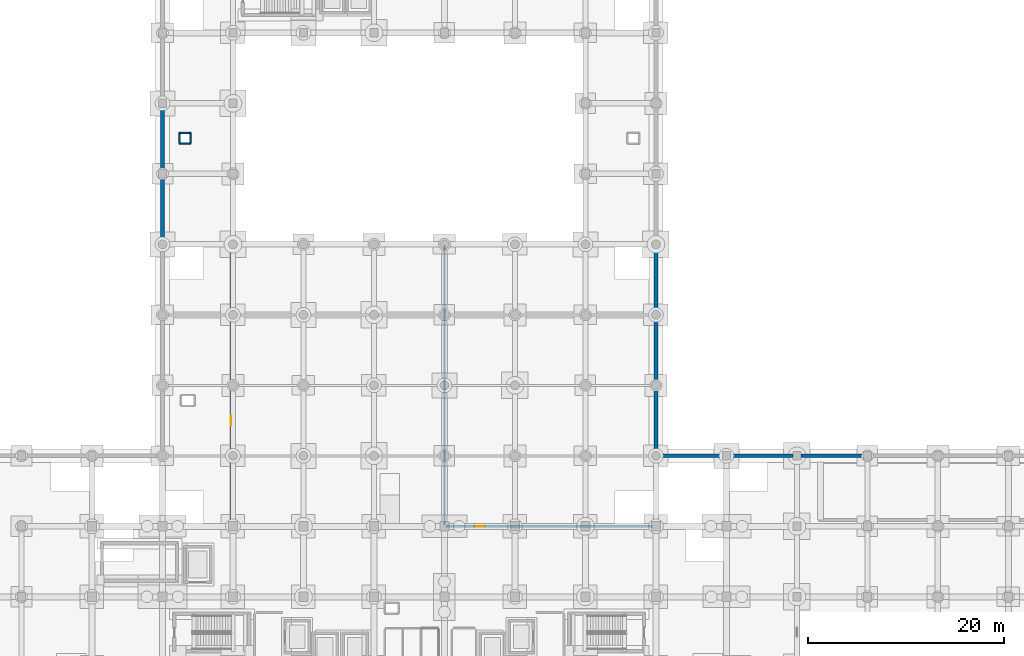
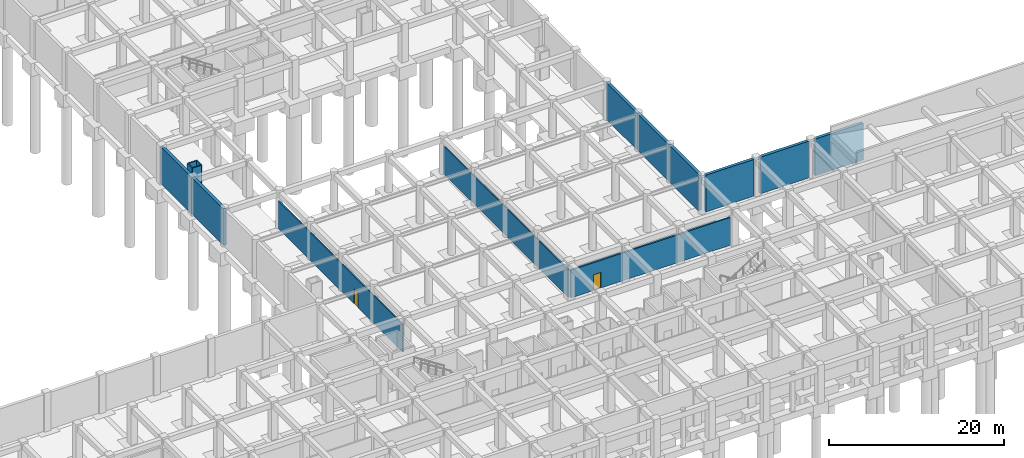
# One storey, part 16 of 26: 15 walls, 2 doors, 2 openings.
"""IFC4 building model written with IfcOpenShell, lengths in metres."""

from ifc_helpers import new_model, si_unit, direction, frame, frame_2d, origin, place, context, subcontext, project, spatial, rectangle, extrude, material, layer, layer_set, type_object, element, fill, save


model = new_model("IFC4")

# Units and contexts
model_context = context("Model", 3, precision=1e-05, world=origin(), true_north=direction((0.0, 1.0)))
body_context = subcontext(model_context, "Body", "Model", "MODEL_VIEW")
ifc_project = project(units=[si_unit("LENGTHUNIT", "METRE"), si_unit("AREAUNIT", "SQUARE_METRE"), si_unit("VOLUMEUNIT", "CUBIC_METRE"), si_unit("PLANEANGLEUNIT", "RADIAN"), si_unit("MASSUNIT", "GRAM", prefix="KILO")], contexts=[model_context])

# Site, building, storey
site_placement = place(None, origin())
site = spatial("IfcSite", under=ifc_project, at=site_placement, CompositionType="ELEMENT")
building_placement = place(site_placement, origin())
building = spatial("IfcBuilding", under=site, at=building_placement, Name="Kazehaya Institute of Natural Sciences", CompositionType="ELEMENT")
storey_placement = place(building_placement, frame((0.0, 0.0, -5.39990234375)))
storey = spatial("IfcBuildingStorey", under=building, at=storey_placement, Name="B1", CompositionType="ELEMENT", Elevation=-5.39990234375)

# Wall, opening, door
ifc_material_1 = material(Name="Gypsum acoustic partition", Category="gypsum")
ifc_layer_1 = layer(ifc_material_1, 0.159912109375, Name="Gypsum acoustic partition", Category="gypsum")
ifc_layer_set_1 = layer_set([ifc_layer_1], Name="Gypsum acoustic partition")
wall_type_1 = type_object("IfcWallType", Name="WL-PART-160", PredefinedType="PARTITIONING", material=ifc_layer_set_1)
wall_1_placement = place(storey_placement, frame((68.800048828125, 35.75, 0.0), z_axis=(0.0, 0.0, 1.0), x_axis=(0.0, 1.0, 0.0)))
wall_1 = element("IfcWall", 1, at=wall_1_placement, inside=storey, type_object=wall_type_1, Name="B1 Specimen Cold Repository partition IW-B1-0028", PredefinedType="PARTITIONING", context=body_context, shape_type="SweptSolid", body=[
    extrude(rectangle(XDim=28.5, YDim=0.159912109375, at=frame_2d((14.25, 0.0))), origin(), (0.0, 0.0, 1.0), 3.8798828125),
])
opening_1_placement = place(wall_1_placement, frame((10.159912109375, 0.0, 0.0)))
opening_1 = element("IfcOpeningElement", 2, at=opening_1_placement, cuts=wall_1, Name="Opening D-B1-0049", PredefinedType="OPENING", context=body_context, shape_type="SweptSolid", body=[
    extrude(rectangle(XDim=0.97998046875, YDim=2.1201171875, at=frame_2d((0.489990234375, 1.06005859375))), frame((0.0, 0.08984375, 0.0), z_axis=(0.0, -1.0, 0.0), x_axis=(1.0, 0.0, 0.0)), (0.0, 0.0, 1.0), 0.179931640625),
])
ifc_material_2 = material(Name="Fire-rated steel acoustic door", Category="steel")
door_type_1 = type_object("IfcDoorType", Name="DT-FD-08", OperationType="NOTDEFINED", PredefinedType="DOOR", material=ifc_material_2)
door_1_placement = place(opening_1_placement, origin())
door_1 = element("IfcDoor", 3, at=door_1_placement, inside=storey, type_object=door_type_1, Name="B1 Specimen Cold Repository door D-B1-0049", OperationType="SINGLE_SWING_LEFT", OverallHeight=2.1201171875, OverallWidth=0.97998046875, PredefinedType="DOOR", context=body_context, shape_type="SweptSolid", body=[
    extrude(rectangle(XDim=0.97998046875, YDim=2.1201171875, at=frame_2d((0.489990234375, 1.06005859375))), frame((0.0, 0.02490234375, 0.0), z_axis=(0.0, -1.0, 0.0), x_axis=(1.0, 0.0, 0.0)), (0.0, 0.0, 1.0), 0.050048828125),
])
fill(opening_1, door_1)

# Wall
wall_2_placement = place(storey_placement, frame((90.60009765625, 64.25, 0.0), z_axis=(0.0, 0.0, 1.0), x_axis=(0.0, -1.0, 0.0)))
element("IfcWall", 4, at=wall_2_placement, inside=storey, type_object=wall_type_1, Name="B1 Specimen Cold Repository partition IW-B1-0029", PredefinedType="PARTITIONING", context=body_context, shape_type="SweptSolid", body=[
    extrude(rectangle(XDim=28.5, YDim=0.159912109375, at=frame_2d((14.25, 0.0))), origin(), (0.0, 0.0, 1.0), 3.8798828125),
])

# Wall, opening, door
ifc_material_3 = material(Name="Gypsum fire-rated partition", Category="gypsum")
ifc_layer_2 = layer(ifc_material_3, 0.219970703125, Name="Gypsum fire-rated partition", Category="gypsum")
ifc_layer_set_2 = layer_set([ifc_layer_2], Name="Gypsum fire-rated partition")
wall_type_2 = type_object("IfcWallType", Name="WL-PART-220", PredefinedType="PARTITIONING", material=ifc_layer_set_2)
wall_3_placement = place(storey_placement, frame((111.85009765625, 35.60009765625, 0.0), z_axis=(0.0, 0.0, 1.0), x_axis=(-1.0, 0.0, 0.0)))
wall_3 = element("IfcWall", 5, at=wall_3_placement, inside=storey, type_object=wall_type_2, Name="B1 Reagent Chemical Store partition IW-B1-0030", PredefinedType="PARTITIONING", context=body_context, shape_type="SweptSolid", body=[
    extrude(rectangle(XDim=21.10009765625, YDim=0.219970703125, at=frame_2d((10.550048828125, 0.0))), origin(), (0.0, 0.0, 1.0), 3.8798828125),
])
opening_2_placement = place(wall_3_placement, frame((17.159912109375, 0.0, 0.0)))
opening_2 = element("IfcOpeningElement", 6, at=opening_2_placement, cuts=wall_3, Name="Opening D-B1-0050", PredefinedType="OPENING", context=body_context, shape_type="SweptSolid", body=[
    extrude(rectangle(XDim=0.97998046875, YDim=2.179931640625, at=frame_2d((0.489990234375, 1.08984375))), frame((0.0, 0.119873046875, 0.0), z_axis=(0.0, -1.0, 0.0), x_axis=(1.0, 0.0, 0.0)), (0.0, 0.0, 1.0), 0.239990234375),
])
door_type_2 = type_object("IfcDoorType", Name="DT-FD-09", OperationType="NOTDEFINED", PredefinedType="DOOR", material=ifc_material_2)
door_2_placement = place(opening_2_placement, origin())
door_2 = element("IfcDoor", 7, at=door_2_placement, inside=storey, type_object=door_type_2, Name="B1 Reagent Chemical Store door D-B1-0050", OperationType="SINGLE_SWING_RIGHT", OverallHeight=2.179931640625, OverallWidth=0.97998046875, PredefinedType="DOOR", context=body_context, shape_type="SweptSolid", body=[
    extrude(rectangle(XDim=0.97998046875, YDim=2.179931640625, at=frame_2d((0.489990234375, 1.08984375))), frame((0.0, 0.02490234375, 0.0), z_axis=(0.0, -1.0, 0.0), x_axis=(1.0, 0.0, 0.0)), (0.0, 0.0, 1.0), 0.050048828125),
])
fill(opening_2, door_2)

# Walls
ifc_material_4 = material(Name="Concrete Fc42", Category="concrete")
ifc_layer_3 = layer(ifc_material_4, 0.389892578125, Name="Concrete Fc42", Category="concrete")
ifc_layer_set_3 = layer_set([ifc_layer_3], Name="Concrete Fc42")
wall_type_3 = type_object("IfcWallType", Name="WL-RET-390", PredefinedType="USERDEFINED", material=ifc_layer_set_3)
for number, where, z_axis, x_axis, name in (
    (8, (61.800048828125, 64.324951171875, 0.0), (0.0, 0.0, 1.0), (0.0, 1.0, 0.0), "B1 exterior wall EW-B1-0040"),
    (9, (61.800048828125, 71.5, 0.0), (0.0, 0.0, 1.0), (0.0, 1.0, 0.0), "B1 exterior wall EW-B1-0041"),
    (10, (112.199951171875, 64.324951171875, 0.0), (0.0, 0.0, 1.0), (0.0, -1.0, 0.0), "B1 exterior wall EW-B1-0061"),
):
    element("IfcWall", number, at=place(storey_placement, frame(where, z_axis=z_axis, x_axis=x_axis)), inside=storey, type_object=wall_type_3, Name=name, ObjectType="RETAININGWALL", PredefinedType="USERDEFINED", context=body_context, shape_type="SweptSolid", body=[
        extrude(rectangle(XDim=7.175048828125, YDim=0.389892578125, at=frame_2d((3.58740234375, 0.0))), origin(), (0.0, 0.0, 1.0), 5.119873046875),
    ])
wall_4_placement = place(storey_placement, frame((112.199951171875, 57.14990234375, 0.0), z_axis=(0.0, 0.0, 1.0), x_axis=(0.0, -1.0, 0.0)))
element("IfcWall", 11, at=wall_4_placement, inside=storey, type_object=wall_type_3, Name="B1 exterior wall EW-B1-0062", ObjectType="RETAININGWALL", PredefinedType="USERDEFINED", context=body_context, shape_type="SweptSolid", body=[
    extrude(rectangle(XDim=7.1748046875, YDim=0.389892578125, at=frame_2d((3.58740234375, 0.0))), origin(), (0.0, 0.0, 1.0), 5.119873046875),
])
wall_5_placement = place(storey_placement, frame((112.199951171875, 49.97509765625, 0.0), z_axis=(0.0, 0.0, 1.0), x_axis=(0.0, -1.0, 0.0)))
element("IfcWall", 12, at=wall_5_placement, inside=storey, type_object=wall_type_3, Name="B1 exterior wall EW-B1-0063", ObjectType="RETAININGWALL", PredefinedType="USERDEFINED", context=body_context, shape_type="SweptSolid", body=[
    extrude(rectangle(XDim=6.739990234375, YDim=0.389892578125, at=frame_2d((3.3701171875, 0.0))), origin(), (0.0, 0.0, 1.0), 5.119873046875),
])
wall_6_placement = place(storey_placement, frame((112.635009765625, 42.800048828125, 0.0), z_axis=(0.0, 0.0, 1.0), x_axis=(1.0, 0.0, 0.0)))
element("IfcWall", 13, at=wall_6_placement, inside=storey, type_object=wall_type_3, Name="B1 exterior wall EW-B1-0064", ObjectType="RETAININGWALL", PredefinedType="USERDEFINED", context=body_context, shape_type="SweptSolid", body=[
    extrude(rectangle(XDim=6.35498046875, YDim=0.389892578125, at=frame_2d((3.177490234375, 0.0))), origin(), (0.0, 0.0, 1.0), 5.119873046875),
])
for number, where, z_axis, x_axis, name in (
    (14, (119.81005859375, 42.800048828125, 0.0), (0.0, 0.0, 1.0), (1.0, 0.0, 0.0), "B1 exterior wall EW-B1-0065"),
    (15, (127.010009765625, 42.800048828125, 0.0), (0.0, 0.0, 1.0), (1.0, 0.0, 0.0), "B1 exterior wall EW-B1-0066"),
):
    element("IfcWall", number, at=place(storey_placement, frame(where, z_axis=z_axis, x_axis=x_axis)), inside=storey, type_object=wall_type_3, Name=name, ObjectType="RETAININGWALL", PredefinedType="USERDEFINED", context=body_context, shape_type="SweptSolid", body=[
        extrude(rectangle(XDim=6.3798828125, YDim=0.389892578125, at=frame_2d((3.18994140625, 0.0))), origin(), (0.0, 0.0, 1.0), 5.119873046875),
    ])
ifc_material_5 = material(Name="Concrete Fc36", Category="concrete")
ifc_layer_4 = layer(ifc_material_5, 0.14990234375, Name="Concrete Fc36", Category="concrete")
ifc_layer_set_4 = layer_set([ifc_layer_4], Name="Concrete Fc36")
wall_type_4 = type_object("IfcWallType", Name="WL-RISER-150", PredefinedType="PARTITIONING", material=ifc_layer_set_4)
for number, where, z_axis, x_axis, name in (
    (16, (64.68505859375, 74.715087890625, 0.0), (0.0, 0.0, 1.0), (-1.0, 0.0, 0.0), "B1 fume exhaust riser shaft wall 7"),
    (17, (63.514892578125, 75.784912109375, 0.0), (0.0, 0.0, 1.0), (1.0, 0.0, 0.0), "B1 fume exhaust riser shaft wall 7"),
):
    element("IfcWall", number, at=place(storey_placement, frame(where, z_axis=z_axis, x_axis=x_axis)), inside=storey, type_object=wall_type_4, Name=name, PredefinedType="PARTITIONING", context=body_context, shape_type="SweptSolid", body=[
        extrude(rectangle(XDim=1.170166015625, YDim=0.14990234375, at=frame_2d((0.5849609375, 0.0))), origin(), (0.0, 0.0, 1.0), 3.8798828125),
    ])
for number, where, z_axis, x_axis, name in (
    (18, (63.514892578125, 74.715087890625, 0.0), (0.0, 0.0, 1.0), (0.0, 1.0, 0.0), "B1 fume exhaust riser shaft wall 7"),
    (19, (64.68505859375, 75.784912109375, 0.0), (0.0, 0.0, 1.0), (0.0, -1.0, 0.0), "B1 fume exhaust riser shaft wall 7"),
):
    element("IfcWall", number, at=place(storey_placement, frame(where, z_axis=z_axis, x_axis=x_axis)), inside=storey, type_object=wall_type_4, Name=name, PredefinedType="PARTITIONING", context=body_context, shape_type="SweptSolid", body=[
        extrude(rectangle(XDim=1.06982421875, YDim=0.14990234375, at=frame_2d((0.534912109375, 0.0))), origin(), (0.0, 0.0, 1.0), 3.8798828125),
    ])

save(model, "model.ifc")
